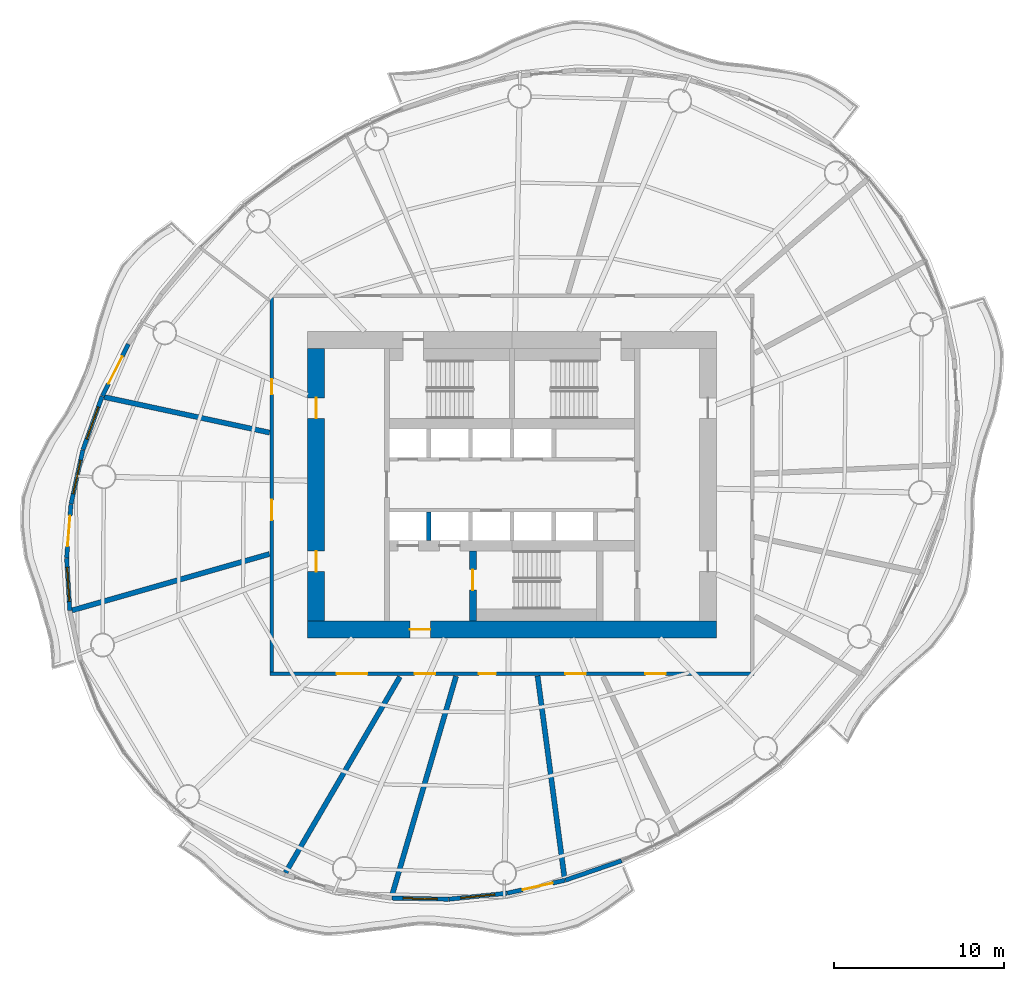
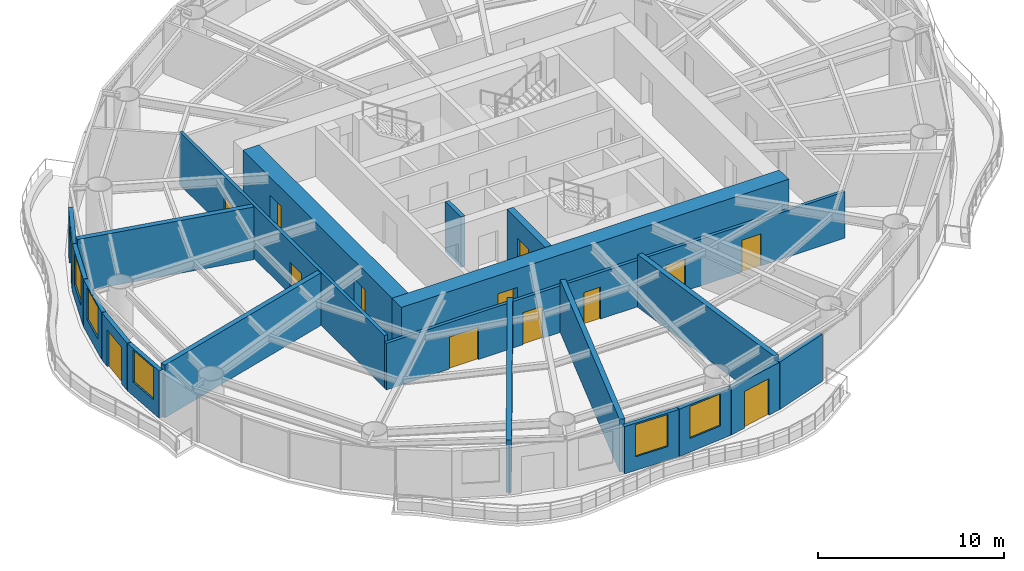
# One storey, part 8 of 14: 20 walls, 14 doors, 5 windows, 19 openings.
"""IFC4 building model written with IfcOpenShell, lengths in metres."""

import ifcopenshell
import ifcopenshell.guid

model = None  # the IFC model being written
_history = None  # IfcOwnerHistory: only IFC2X3 demands one
_inside = {}  # id of a spatial element -> (the spatial element, [elements in it])
_under = {}  # id of a project, library or spatial element -> (it, [spatial elements below it])
_declared = {}  # id of a project -> (the project, [libraries it declares])
_typed = {}  # id of a type object -> (the type object, [elements of that type])
_made_of = {}  # id of a material, layer set ... -> (it, [elements and type objects made of it])


def new_model(schema):
    """Start an empty IFC model of exactly this schema.

    Asked for "IFC4X3", IfcOpenShell would pick the latest addendum, in which some entities
    have other attributes; the version numbers below select the first issue.
    IFC2X3 requires an IfcOwnerHistory on every rooted entity: one is made here for all.
    """
    global model, _history
    if schema == "IFC4X3":
        model = ifcopenshell.file(schema_version=(4, 3, 0, 0))
    else:
        model = ifcopenshell.file(schema=schema)
    _inside.clear()
    _under.clear()
    _declared.clear()
    _typed.clear()
    _made_of.clear()
    _history = None
    if model.schema == "IFC2X3":
        org = make("IfcOrganization", Name="unknown")
        user = make(
            "IfcPersonAndOrganization",
            ThePerson=make("IfcPerson", FamilyName="unknown"),
            TheOrganization=org,
        )
        app = make(
            "IfcApplication",
            ApplicationDeveloper=org,
            Version="unknown",
            ApplicationFullName="unknown",
            ApplicationIdentifier="unknown",
        )
        _history = make(
            "IfcOwnerHistory",
            OwningUser=user,
            OwningApplication=app,
            ChangeAction="ADDED",
            CreationDate=0,
        )
    return model


def make(cls, **values):
    """One entity of the class cls with the attributes given. An attribute that is None is left unset."""
    return model.create_entity(
        cls, **{name: value for name, value in values.items() if value is not None}
    )


def rooted(cls, **values):
    """An entity with a GlobalId (a new one), such as an element, a storey or a relation."""
    return make(cls, GlobalId=ifcopenshell.guid.new(), OwnerHistory=_history, **values)


def si_unit(unit_type, name, prefix=None):
    """IfcSIUnit, for example si_unit("LENGTHUNIT", "METRE", prefix="MILLI")."""
    return make("IfcSIUnit", UnitType=unit_type, Prefix=prefix, Name=name)


def assignment(units):
    """IfcUnitAssignment: the units of a project."""
    return None if units is None else make("IfcUnitAssignment", Units=units)


def point(xyz):
    """IfcCartesianPoint."""
    return None if xyz is None else make("IfcCartesianPoint", Coordinates=xyz)


def direction(xyz):
    """IfcDirection."""
    return None if xyz is None else make("IfcDirection", DirectionRatios=xyz)


def frame(location, z_axis=None, x_axis=None):
    """IfcAxis2Placement3D, a coordinate frame: its origin and axes. An axis left out is left unset."""
    return make(
        "IfcAxis2Placement3D",
        Location=point(location),
        Axis=direction(z_axis),
        RefDirection=direction(x_axis),
    )


def frame_2d(location, x_axis=None):
    """IfcAxis2Placement2D, a coordinate frame in the plane: its origin and x axis."""
    return make(
        "IfcAxis2Placement2D", Location=point(location), RefDirection=direction(x_axis)
    )


def origin():
    """The frame at (0, 0, 0) with its axes left unset."""
    return frame((0.0, 0.0, 0.0))


def place(relative_to, where):
    """IfcLocalPlacement: puts the frame where relative to a parent placement (None: the world)."""
    return make(
        "IfcLocalPlacement", PlacementRelTo=relative_to, RelativePlacement=where
    )


def context(
    kind, dimensions, precision=None, world=None, true_north=None, identifier=None
):
    """IfcGeometricRepresentationContext, for example the 3D "Model" context."""
    return make(
        "IfcGeometricRepresentationContext",
        ContextIdentifier=identifier,
        ContextType=kind,
        CoordinateSpaceDimension=dimensions,
        Precision=precision,
        WorldCoordinateSystem=world,
        TrueNorth=true_north,
    )


def subcontext(parent, identifier, kind, view, scale=None):
    """IfcGeometricRepresentationSubContext, for example "Body" below "Model"."""
    return make(
        "IfcGeometricRepresentationSubContext",
        ContextIdentifier=identifier,
        ContextType=kind,
        ParentContext=parent,
        TargetScale=scale,
        TargetView=view,
    )


def project(units=None, contexts=None):
    """IfcProject with its units and contexts."""
    return rooted(
        "IfcProject",
        Name="project",
        RepresentationContexts=contexts,
        UnitsInContext=assignment(units),
    )


def spatial(cls, under=None, at=None, **own):
    """A site, building, storey or space (cls), placed at a placement, below another one or the project."""
    s = rooted(cls, ObjectPlacement=at, **own)
    if under is not None:
        _under.setdefault(under.id(), (under, []))[1].append(s)
    return s


def profile(cls, at=None, kind="AREA", **sizes):
    """A parametric profile (cls). Its sizes go by their IFC names, for example OverallWidth=200.0."""
    return make(cls, ProfileType=kind, Position=at, **sizes)


def rectangle(**sizes):
    """IfcRectangleProfileDef."""
    return profile("IfcRectangleProfileDef", **sizes)


def extrude(swept, where, along, depth):
    """IfcExtrudedAreaSolid: the profile swept, set in the frame where, extruded along a direction by depth."""
    return make(
        "IfcExtrudedAreaSolid",
        SweptArea=swept,
        Position=where,
        ExtrudedDirection=direction(along),
        Depth=depth,
    )


def shape(context_of_items, identifier, shape_type, items):
    """IfcShapeRepresentation: the items that make up one representation, for example the "Body"."""
    return make(
        "IfcShapeRepresentation",
        ContextOfItems=context_of_items,
        RepresentationIdentifier=identifier,
        RepresentationType=shape_type,
        Items=items,
    )


def material(Name=None, Category=None):
    """IfcMaterial."""
    return make("IfcMaterial", Name=Name, Category=Category)


def layer(
    of_material, thickness, ventilated=None, Name=None, Category=None, Priority=None
):
    """IfcMaterialLayer: one layer of a wall or slab, of a material (None: an air gap)."""
    return make(
        "IfcMaterialLayer",
        Material=of_material,
        LayerThickness=thickness,
        IsVentilated=ventilated,
        Name=Name,
        Category=Category,
        Priority=Priority,
    )


def layer_set(layers, Name=None):
    """IfcMaterialLayerSet."""
    return make("IfcMaterialLayerSet", MaterialLayers=layers, LayerSetName=Name)


def made_of(thing, what):
    """Note that an element or type object is made of a material, layer set ...; save() writes the relation."""
    if what is not None:
        _made_of.setdefault(what.id(), (what, []))[1].append(thing)
    return thing


def type_object(cls, material=None, **own):
    """A type object (cls), such as IfcWallType, which elements share."""
    return made_of(rooted(cls, **own), material)


def element(
    cls,
    number,
    at=None,
    inside=None,
    cuts=None,
    type_object=None,
    material=None,
    context=None,
    identifier="Body",
    shape_type=None,
    held_by="IfcProductDefinitionShape",
    body=None,
    shapes=None,
    **own,
):
    """One element of the class cls, such as IfcWall. Its Tag is "e" and its number.

    at: its placement. inside: the storey or other place that contains it. cuts: it is an
    opening in that element (IfcRelVoidsElement). A single representation is given by context,
    identifier, shape_type and body (its items); several are given by shapes. held_by: the class
    of the entity that holds the representations. save() writes the other relations.
    """
    e = rooted(cls, Tag="e%d" % number, ObjectPlacement=at, **own)
    if body is not None:
        shapes = [shape(context, identifier, shape_type, body)]
    if shapes is not None:
        e.Representation = make(held_by, Representations=shapes)
    if inside is not None:
        _inside.setdefault(inside.id(), (inside, []))[1].append(e)
    if cuts is not None:
        rooted(
            "IfcRelVoidsElement", RelatingBuildingElement=cuts, RelatedOpeningElement=e
        )
    if type_object is not None:
        _typed.setdefault(type_object.id(), (type_object, []))[1].append(e)
    return made_of(e, material)


def fill(opening, filler):
    """IfcRelFillsElement: the door or window that sits in an opening."""
    return rooted(
        "IfcRelFillsElement",
        RelatingOpeningElement=opening,
        RelatedBuildingElement=filler,
    )


def aggregate(whole, parts):
    """IfcRelAggregates: a whole, such as a stair, and the parts it consists of."""
    return rooted("IfcRelAggregates", RelatingObject=whole, RelatedObjects=parts)


def save(model, path):
    """Write the relations noted so far, then the file.

    IfcRelAggregates (storeys below a building ...), IfcRelContainedInSpatialStructure (elements
    in a storey), IfcRelDefinesByType, IfcRelAssociatesMaterial and IfcRelDeclares: one each for
    every whole, place, type object, material and project.
    """
    for whole, parts in _under.values():
        aggregate(whole, parts)
    for where, things in _inside.values():
        rooted(
            "IfcRelContainedInSpatialStructure",
            RelatedElements=things,
            RelatingStructure=where,
        )
    for kind, things in _typed.values():
        rooted("IfcRelDefinesByType", RelatedObjects=things, RelatingType=kind)
    for what, things in _made_of.values():
        rooted("IfcRelAssociatesMaterial", RelatedObjects=things, RelatingMaterial=what)
    for by, libraries in _declared.values():
        rooted("IfcRelDeclares", RelatingContext=by, RelatedDefinitions=libraries)
    model.write(path)


model = new_model("IFC4")

# Units and contexts
model_context = context("Model", 3, precision=1e-05, world=origin(), true_north=direction((0.0, 1.0)))
body_context = subcontext(model_context, "Body", "Model", "MODEL_VIEW")
ifc_project = project(units=[si_unit("LENGTHUNIT", "METRE"), si_unit("AREAUNIT", "SQUARE_METRE"), si_unit("VOLUMEUNIT", "CUBIC_METRE"), si_unit("PLANEANGLEUNIT", "RADIAN"), si_unit("MASSUNIT", "GRAM", prefix="KILO")], contexts=[model_context])

# Site, building, storey
site_placement = place(None, origin())
site = spatial("IfcSite", under=ifc_project, at=site_placement, CompositionType="ELEMENT")
building_placement = place(site_placement, origin())
building = spatial("IfcBuilding", under=site, at=building_placement, Name="Vermilion Reach Broadcast Tower", CompositionType="ELEMENT")
storey_placement = place(building_placement, frame((0.0, 0.0, 172.199951171875)))
storey = spatial("IfcBuildingStorey", under=building, at=storey_placement, Name="L41", CompositionType="ELEMENT", Elevation=172.199951171875)

# Wall, opening, door
ifc_material_1 = material(Name="Concrete C70", Category="concrete")
ifc_layer_1 = layer(ifc_material_1, 0.39990234375)
ifc_layer_set_1 = layer_set([ifc_layer_1], Name="Core inner wall 400 mm Concrete C70")
wall_type_1 = type_object("IfcWallType", Name="Core inner wall 400 mm Concrete C70", PredefinedType="SHEAR", material=ifc_layer_set_1)
wall_1_placement = place(storey_placement, frame((-8.300048828125, -3.8798828125, 0.0), z_axis=(0.0, 0.0, 1.0), x_axis=(0.0, -1.0, 0.0)))
wall_1 = element("IfcWall", 1, at=wall_1_placement, inside=storey, type_object=wall_type_1, Name="L41 core wall wa", PredefinedType="SHEAR", context=body_context, shape_type="SweptSolid", body=[
    extrude(rectangle(XDim=4.1201171875, YDim=0.39990234375, at=frame_2d((2.06005859375, 0.0))), origin(), (0.0, 0.0, 1.0), 3.300048828125),
])
opening_1_placement = place(wall_1_placement, frame((1.110107421875, 0.0, 0.0)))
opening_1 = element("IfcOpeningElement", 2, at=opening_1_placement, cuts=wall_1, Name="Opening D01", PredefinedType="OPENING", context=body_context, shape_type="SweptSolid", body=[
    extrude(rectangle(XDim=1.199951171875, YDim=2.10009765625, at=frame_2d((0.60009765625, 1.050048828125))), frame((0.0, 0.2099609375, 0.0), z_axis=(0.0, -1.0, 0.0), x_axis=(1.0, 0.0, 0.0)), (0.0, 0.0, 1.0), 0.419921875),
])
ifc_material_2 = material(Name="Painted steel fire door", Category="steel")
door_type_1 = type_object("IfcDoorType", Name="Stair door 1200 x 2100", OperationType="DOUBLE_DOOR_SINGLE_SWING", PredefinedType="NOTDEFINED", material=ifc_material_2)
door_1_placement = place(opening_1_placement, origin())
door_1 = element("IfcDoor", 3, at=door_1_placement, inside=storey, type_object=door_type_1, Name="L41 stair door ST3", OperationType="DOUBLE_DOOR_SINGLE_SWING", OverallHeight=2.10009765625, OverallWidth=1.199951171875, PredefinedType="NOTDEFINED", context=body_context, shape_type="SweptSolid", body=[
    extrude(rectangle(XDim=1.199951171875, YDim=2.10009765625, at=frame_2d((0.60009765625, 1.050048828125))), frame((0.0, 0.02490234375, 0.0), z_axis=(0.0, -1.0, 0.0), x_axis=(1.0, 0.0, 0.0)), (0.0, 0.0, 1.0), 0.050048828125),
])
fill(opening_1, door_1)

ifc_material_3 = material(Name="Concrete C70", Category="concrete")
ifc_layer_2 = layer(ifc_material_3, 1.0)
ifc_layer_set_2 = layer_set([ifc_layer_2], Name="Core outer wall 1000 mm Concrete C70")
wall_type_2 = type_object("IfcWallType", Name="Core outer wall 1000 mm Concrete C70", PredefinedType="SHEAR", material=ifc_layer_set_2)
wall_2_placement = place(storey_placement, frame((-18.0, -8.5, 0.0), z_axis=(0.0, 0.0, 1.0), x_axis=(1.0, 0.0, 0.0)))
wall_2 = element("IfcWall", 4, at=wall_2_placement, inside=storey, type_object=wall_type_2, Name="L41 core wall os", PredefinedType="SHEAR", context=body_context, shape_type="SweptSolid", body=[
    extrude(rectangle(XDim=24.0, YDim=1.0, at=frame_2d((12.0, 0.0))), origin(), (0.0, 0.0, 1.0), 3.300048828125),
])
opening_2_placement = place(wall_2_placement, frame((6.0, 0.0, 0.0)))
opening_2 = element("IfcOpeningElement", 5, at=opening_2_placement, cuts=wall_2, Name="Opening D02", PredefinedType="OPENING", context=body_context, shape_type="SweptSolid", body=[
    extrude(rectangle(XDim=1.199951171875, YDim=2.10009765625, at=frame_2d((0.60009765625, 1.050048828125))), frame((0.0, 0.510009765625, 0.0), z_axis=(0.0, -1.0, 0.0), x_axis=(1.0, 0.0, 0.0)), (0.0, 0.0, 1.0), 1.02001953125),
])
ifc_material_4 = material(Name="Painted steel fire door", Category="steel")
door_type_2 = type_object("IfcDoorType", Name="Firefighting lobby door 1200 x 2100", OperationType="DOUBLE_DOOR_SINGLE_SWING", PredefinedType="NOTDEFINED", material=ifc_material_4)
door_2_placement = place(opening_2_placement, origin())
door_2 = element("IfcDoor", 6, at=door_2_placement, inside=storey, type_object=door_type_2, Name="L41 ffdoor door FFL", OperationType="DOUBLE_DOOR_SINGLE_SWING", OverallHeight=2.10009765625, OverallWidth=1.199951171875, PredefinedType="NOTDEFINED", context=body_context, shape_type="SweptSolid", body=[
    extrude(rectangle(XDim=1.199951171875, YDim=2.10009765625, at=frame_2d((0.60009765625, 1.050048828125))), frame((0.0, 0.02490234375, 0.0), z_axis=(0.0, -1.0, 0.0), x_axis=(1.0, 0.0, 0.0)), (0.0, 0.0, 1.0), 0.050048828125),
])
fill(opening_2, door_2)

# Wall, openings, doors
wall_3_placement = place(storey_placement, frame((-17.5, 8.0, 0.0), z_axis=(0.0, 0.0, 1.0), x_axis=(0.0, -1.0, 0.0)))
wall_3 = element("IfcWall", 7, at=wall_3_placement, inside=storey, type_object=wall_type_2, Name="L41 core wall ow", PredefinedType="SHEAR", context=body_context, shape_type="SweptSolid", body=[
    extrude(rectangle(XDim=16.0, YDim=1.0, at=frame_2d((8.0, 0.0))), origin(), (0.0, 0.0, 1.0), 3.300048828125),
])
opening_3_placement = place(wall_3_placement, frame((11.89990234375, 0.0, 0.0)))
opening_3 = element("IfcOpeningElement", 8, at=opening_3_placement, cuts=wall_3, Name="Opening D03", PredefinedType="OPENING", context=body_context, shape_type="SweptSolid", body=[
    extrude(rectangle(XDim=1.199951171875, YDim=2.10009765625, at=frame_2d((0.60009765625, 1.050048828125))), frame((0.0, 0.510009765625, 0.0), z_axis=(0.0, -1.0, 0.0), x_axis=(1.0, 0.0, 0.0)), (0.0, 0.0, 1.0), 1.02001953125),
])
opening_4_placement = place(wall_3_placement, frame((2.89990234375, 0.0, 0.0)))
opening_4 = element("IfcOpeningElement", 9, at=opening_4_placement, cuts=wall_3, Name="Opening D03", PredefinedType="OPENING", context=body_context, shape_type="SweptSolid", body=[
    extrude(rectangle(XDim=1.199951171875, YDim=2.10009765625, at=frame_2d((0.60009765625, 1.050048828125))), frame((0.0, 0.510009765625, 0.0), z_axis=(0.0, -1.0, 0.0), x_axis=(1.0, 0.0, 0.0)), (0.0, 0.0, 1.0), 1.02001953125),
])
ifc_material_5 = material(Name="Painted steel fire door", Category="steel")
door_type_3 = type_object("IfcDoorType", Name="Core lobby door 1200 x 2100", OperationType="DOUBLE_DOOR_SINGLE_SWING", PredefinedType="NOTDEFINED", material=ifc_material_5)
door_3_placement = place(opening_3_placement, origin())
door_3 = element("IfcDoor", 10, at=door_3_placement, inside=storey, type_object=door_type_3, Name="L41 slot door W0", OperationType="DOUBLE_DOOR_SINGLE_SWING", OverallHeight=2.10009765625, OverallWidth=1.199951171875, PredefinedType="NOTDEFINED", context=body_context, shape_type="SweptSolid", body=[
    extrude(rectangle(XDim=1.199951171875, YDim=2.10009765625, at=frame_2d((0.60009765625, 1.050048828125))), frame((0.0, 0.02490234375, 0.0), z_axis=(0.0, -1.0, 0.0), x_axis=(1.0, 0.0, 0.0)), (0.0, 0.0, 1.0), 0.050048828125),
])
fill(opening_3, door_3)
door_4_placement = place(opening_4_placement, origin())
door_4 = element("IfcDoor", 11, at=door_4_placement, inside=storey, type_object=door_type_3, Name="L41 slot door W1", OperationType="DOUBLE_DOOR_SINGLE_SWING", OverallHeight=2.10009765625, OverallWidth=1.199951171875, PredefinedType="NOTDEFINED", context=body_context, shape_type="SweptSolid", body=[
    extrude(rectangle(XDim=1.199951171875, YDim=2.10009765625, at=frame_2d((0.60009765625, 1.050048828125))), frame((0.0, 0.02490234375, 0.0), z_axis=(0.0, -1.0, 0.0), x_axis=(1.0, 0.0, 0.0)), (0.0, 0.0, 1.0), 0.050048828125),
])
fill(opening_4, door_4)

# Wall
ifc_material_6 = material(Name="Concrete C50", Category="concrete")
ifc_layer_3 = layer(ifc_material_6, 0.25)
ifc_layer_set_3 = layer_set([ifc_layer_3], Name="Core shaft wall 250 mm Concrete C50")
wall_type_3 = type_object("IfcWallType", Name="Core shaft wall 250 mm Concrete C50", PredefinedType="SHEAR", material=ifc_layer_set_3)
wall_4_placement = place(storey_placement, frame((-10.88330078125, -1.60009765625, 0.0), z_axis=(0.0, 0.0, 1.0), x_axis=(0.0, -1.0, 0.0)))
element("IfcWall", 12, at=wall_4_placement, inside=storey, type_object=wall_type_3, Name="L41 core wall psS0", PredefinedType="SHEAR", context=body_context, shape_type="SweptSolid", body=[
    extrude(rectangle(XDim=1.679931640625, YDim=0.25, at=frame_2d((0.83984375, 0.0))), origin(), (0.0, 0.0, 1.0), 3.300048828125),
])

# Wall, openings, doors
ifc_material_7 = material(Name="Fire-rated gypsum board partition")
ifc_layer_4 = layer(ifc_material_7, 0.199951171875)
ifc_layer_set_4 = layer_set([ifc_layer_4], Name="Corridor wall 200 fire-rated")
wall_type_4 = type_object("IfcWallType", Name="Corridor wall 200 fire-rated", PredefinedType="PARTITIONING", material=ifc_layer_set_4)
wall_5_placement = place(storey_placement, frame((-20.10009765625, -11.0, 0.0), z_axis=(0.0, 0.0, 1.0), x_axis=(0.0, 1.0, 0.0)))
wall_5 = element("IfcWall", 13, at=wall_5_placement, inside=storey, type_object=wall_type_4, Name="Corridor wall 41.W", PredefinedType="PARTITIONING", context=body_context, shape_type="SweptSolid", body=[
    extrude(rectangle(XDim=22.0, YDim=0.199951171875, at=frame_2d((11.0, 0.0))), origin(), (0.0, 0.0, 1.0), 3.449951171875),
])
opening_5_placement = place(wall_5_placement, frame((16.303466796875, 0.0, 0.0)))
opening_5 = element("IfcOpeningElement", 14, at=opening_5_placement, cuts=wall_5, Name="Opening D22", PredefinedType="OPENING", context=body_context, shape_type="SweptSolid", body=[
    extrude(rectangle(XDim=0.89990234375, YDim=2.10009765625, at=frame_2d((0.449951171875, 1.050048828125))), frame((0.0, 0.10986328125, 0.0), z_axis=(0.0, -1.0, 0.0), x_axis=(1.0, 0.0, 0.0)), (0.0, 0.0, 1.0), 0.219970703125),
])
opening_6_placement = place(wall_5_placement, frame((8.9169921875, 0.0, 0.0)))
opening_6 = element("IfcOpeningElement", 15, at=opening_6_placement, cuts=wall_5, Name="Opening D26", PredefinedType="OPENING", context=body_context, shape_type="SweptSolid", body=[
    extrude(rectangle(XDim=1.199951171875, YDim=2.10009765625, at=frame_2d((0.60009765625, 1.050048828125))), frame((0.0, 0.10986328125, 0.0), z_axis=(0.0, -1.0, 0.0), x_axis=(1.0, 0.0, 0.0)), (0.0, 0.0, 1.0), 0.219970703125),
])
ifc_material_8 = material(Name="Acoustic timber door leaf", Category="wood")
door_type_4 = type_object("IfcDoorType", Name="Door single 1200x2100", OperationType="NOTDEFINED", PredefinedType="DOOR", material=ifc_material_8)
door_5_placement = place(opening_6_placement, origin())
door_5 = element("IfcDoor", 16, at=door_5_placement, inside=storey, type_object=door_type_4, Name="Door 41.05", OperationType="SINGLE_SWING_LEFT", OverallHeight=2.10009765625, OverallWidth=1.199951171875, PredefinedType="DOOR", context=body_context, shape_type="SweptSolid", body=[
    extrude(rectangle(XDim=1.199951171875, YDim=2.10009765625, at=frame_2d((0.60009765625, 1.050048828125))), frame((0.0, 0.02490234375, 0.0), z_axis=(0.0, -1.0, 0.0), x_axis=(1.0, 0.0, 0.0)), (0.0, 0.0, 1.0), 0.050048828125),
])
fill(opening_6, door_5)
ifc_material_9 = material(Name="Timber door leaf", Category="wood")
door_type_5 = type_object("IfcDoorType", Name="Door single 900x2100", OperationType="NOTDEFINED", PredefinedType="DOOR", material=ifc_material_9)
door_6_placement = place(opening_5_placement, origin())
door_6 = element("IfcDoor", 17, at=door_6_placement, inside=storey, type_object=door_type_5, Name="Door 41.04", OperationType="SINGLE_SWING_LEFT", OverallHeight=2.10009765625, OverallWidth=0.89990234375, PredefinedType="DOOR", context=body_context, shape_type="SweptSolid", body=[
    extrude(rectangle(XDim=0.89990234375, YDim=2.10009765625, at=frame_2d((0.449951171875, 1.050048828125))), frame((0.0, 0.02490234375, 0.0), z_axis=(0.0, -1.0, 0.0), x_axis=(1.0, 0.0, 0.0)), (0.0, 0.0, 1.0), 0.050048828125),
])
fill(opening_5, door_6)

# Walls
ifc_material_10 = material(Name="Double-leaf plasterboard on isolated steel stud", Category="steel")
ifc_layer_5 = layer(ifc_material_10, 0.300048828125)
ifc_layer_set_5 = layer_set([ifc_layer_5], Name="Partition 300 acoustic double leaf")
wall_type_5 = type_object("IfcWallType", Name="Partition 300 acoustic double leaf", PredefinedType="PARTITIONING", material=ifc_layer_set_5)
wall_6_placement = place(storey_placement, frame((-29.945556640625, 5.1474609375, 0.0), z_axis=(0.0, 0.0, 1.0), x_axis=(0.977667369108, -0.210158310286, 0.0)))
element("IfcWall", 18, at=wall_6_placement, inside=storey, type_object=wall_type_5, Name="Partition 41.05", PredefinedType="PARTITIONING", context=body_context, shape_type="SweptSolid", body=[
    extrude(rectangle(XDim=9.93603515625, YDim=0.300048828125, at=frame_2d((4.968017578125, 0.0))), origin(), (0.0, 0.0, 1.0), 3.449951171875),
])
wall_7_placement = place(storey_placement, frame((-31.833740234375, -7.3779296875, 0.0), z_axis=(0.0, 0.0, 1.0), x_axis=(0.961553744582, 0.274616817183, 0.0)))
element("IfcWall", 19, at=wall_7_placement, inside=storey, type_object=wall_type_5, Name="Partition 41.06", PredefinedType="PARTITIONING", context=body_context, shape_type="SweptSolid", body=[
    extrude(rectangle(XDim=12.05615234375, YDim=0.300048828125, at=frame_2d((6.028076171875, 0.0))), origin(), (0.0, 0.0, 1.0), 3.449951171875),
])
wall_8_placement = place(storey_placement, frame((-19.29931640625, -22.778564453125, 0.0), z_axis=(0.0, 0.0, 1.0), x_axis=(0.504208313902, 0.863582061064, 0.0)))
element("IfcWall", 20, at=wall_8_placement, inside=storey, type_object=wall_type_5, Name="Partition 41.07", PredefinedType="PARTITIONING", context=body_context, shape_type="SweptSolid", body=[
    extrude(rectangle(XDim=13.320068359375, YDim=0.300048828125, at=frame_2d((6.66015625, 0.0))), origin(), (0.0, 0.0, 1.0), 3.449951171875),
])
wall_9_placement = place(storey_placement, frame((-13.058349609375, -24.141357421875, 0.0), z_axis=(0.0, 0.0, 1.0), x_axis=(0.28063264882, 0.95981525119, 0.0)))
element("IfcWall", 21, at=wall_9_placement, inside=storey, type_object=wall_type_5, Name="Partition 41.08", PredefinedType="PARTITIONING", context=body_context, shape_type="SweptSolid", body=[
    extrude(rectangle(XDim=13.439208984375, YDim=0.300048828125, at=frame_2d((6.7197265625, 0.0))), origin(), (0.0, 0.0, 1.0), 3.449951171875),
])
wall_10_placement = place(storey_placement, frame((-2.918701171875, -23.10009765625, 0.0), z_axis=(0.0, 0.0, 1.0), x_axis=(-0.132218424005, 0.991220605291, 0.0)))
element("IfcWall", 22, at=wall_10_placement, inside=storey, type_object=wall_type_5, Name="Partition 41.09", PredefinedType="PARTITIONING", context=body_context, shape_type="SweptSolid", body=[
    extrude(rectangle(XDim=11.985595703125, YDim=0.300048828125, at=frame_2d((5.99267578125, 0.0))), origin(), (0.0, 0.0, 1.0), 3.449951171875),
])

# Wall, opening, door
ifc_material_11 = material(Name="Terracotta rainscreen cladding", Category="masonry")
ifc_layer_6 = layer(ifc_material_11, 0.25)
ifc_layer_set_6 = layer_set([ifc_layer_6], Name="Terracotta rainscreen wall 250")
wall_type_6 = type_object("IfcWallType", Name="Terracotta rainscreen wall 250", PredefinedType="SOLIDWALL", material=ifc_layer_set_6)
wall_11_placement = place(storey_placement, frame((-28.521240234375, 8.252197265625, 0.0), z_axis=(0.0, 0.0, 1.0), x_axis=(-0.449903975736, -0.893076935441, 0.0)))
wall_11 = element("IfcWall", 23, at=wall_11_placement, inside=storey, type_object=wall_type_6, Name="External wall L41 16", PredefinedType="SOLIDWALL", context=body_context, shape_type="SweptSolid", body=[
    extrude(rectangle(XDim=3.409423828125, YDim=0.25, at=frame_2d((1.70458984375, 0.0))), origin(), (0.0, 0.0, 1.0), 3.10009765625),
])
opening_7_placement = place(wall_11_placement, frame((0.804931640625, 0.0, 0.0)))
opening_7 = element("IfcOpeningElement", 24, at=opening_7_placement, cuts=wall_11, Name="Opening D70", PredefinedType="OPENING", context=body_context, shape_type="SweptSolid", body=[
    extrude(rectangle(XDim=1.800048828125, YDim=2.39990234375, at=frame_2d((0.89990234375, 1.199951171875))), frame((0.0, 0.135009765625, 0.0), z_axis=(0.0, -1.0, 0.0), x_axis=(1.0, 0.0, 0.0)), (0.0, 0.0, 1.0), 0.27001953125),
])
ifc_material_12 = material(Name="Low-e laminated clear glass in aluminium frame", Category="aluminium")
door_type_6 = type_object("IfcDoorType", Name="Balcony sliding door 1800 x 2400", OperationType="DOUBLE_DOOR_SLIDING", PredefinedType="DOOR", material=ifc_material_12)
door_7_placement = place(opening_7_placement, origin())
door_7 = element("IfcDoor", 25, at=door_7_placement, inside=storey, type_object=door_type_6, Name="Balcony door L41 run 04", OperationType="DOUBLE_DOOR_SLIDING", OverallHeight=2.39990234375, OverallWidth=1.800048828125, PredefinedType="DOOR", context=body_context, shape_type="SweptSolid", body=[
    extrude(rectangle(XDim=1.800048828125, YDim=2.39990234375, at=frame_2d((0.89990234375, 1.199951171875))), frame((0.0, 0.02490234375, 0.0), z_axis=(0.0, -1.0, 0.0), x_axis=(1.0, 0.0, 0.0)), (0.0, 0.0, 1.0), 0.050048828125),
])
fill(opening_7, door_7)

# Wall, opening, window
wall_12_placement = place(storey_placement, frame((-30.064453125, 5.18603515625, 0.0), z_axis=(0.0, 0.0, 1.0), x_axis=(-0.337661333214, -0.941267668653, 0.0)))
wall_12 = element("IfcWall", 26, at=wall_12_placement, inside=storey, type_object=wall_type_6, Name="External wall L41 17", PredefinedType="SOLIDWALL", context=body_context, shape_type="SweptSolid", body=[
    extrude(rectangle(XDim=3.325927734375, YDim=0.25, at=frame_2d((1.6630859375, 0.0))), origin(), (0.0, 0.0, 1.0), 3.10009765625),
])
opening_8_placement = place(wall_12_placement, frame((0.6630859375, 0.0, 0.89990234375)))
opening_8 = element("IfcOpeningElement", 27, at=opening_8_placement, cuts=wall_12, Name="Opening W03", PredefinedType="OPENING", context=body_context, shape_type="SweptSolid", body=[
    extrude(rectangle(XDim=2.0, YDim=2.10009765625, at=frame_2d((1.0, 1.050048828125))), frame((0.0, 0.135009765625, 0.0), z_axis=(0.0, -1.0, 0.0), x_axis=(1.0, 0.0, 0.0)), (0.0, 0.0, 1.0), 0.27001953125),
])
ifc_material_13 = material(Name="Low-e laminated clear glass in aluminium frame", Category="aluminium")
window_type = type_object("IfcWindowType", Name="Punched window 2000 x 2100 sill 900", PartitioningType="SINGLE_PANEL", PredefinedType="WINDOW", material=ifc_material_13)
window_1_placement = place(opening_8_placement, origin())
window_1 = element("IfcWindow", 28, at=window_1_placement, inside=storey, type_object=window_type, Name="Window L41 17", OverallHeight=2.10009765625, OverallWidth=2.0, PartitioningType="SINGLE_PANEL", PredefinedType="WINDOW", context=body_context, shape_type="SweptSolid", body=[
    extrude(rectangle(XDim=2.0, YDim=2.10009765625, at=frame_2d((1.0, 1.050048828125))), frame((0.0, 0.030029296875, 0.0), z_axis=(0.0, -1.0, 0.0), x_axis=(1.0, 0.0, 0.0)), (0.0, 0.0, 1.0), 0.06005859375),
])
fill(opening_8, window_1)

wall_13_placement = place(storey_placement, frame((-31.1943359375, 2.032470703125, 0.0), z_axis=(0.0, 0.0, 1.0), x_axis=(-0.21439852093, -0.976746269111, 0.0)))
wall_13 = element("IfcWall", 29, at=wall_13_placement, inside=storey, type_object=wall_type_6, Name="External wall L41 18", PredefinedType="SOLIDWALL", context=body_context, shape_type="SweptSolid", body=[
    extrude(rectangle(XDim=3.2373046875, YDim=0.25, at=frame_2d((1.61865234375, 0.0))), origin(), (0.0, 0.0, 1.0), 3.10009765625),
])
opening_9_placement = place(wall_13_placement, frame((0.61865234375, 0.0, 0.89990234375)))
opening_9 = element("IfcOpeningElement", 30, at=opening_9_placement, cuts=wall_13, Name="Opening W03", PredefinedType="OPENING", context=body_context, shape_type="SweptSolid", body=[
    extrude(rectangle(XDim=2.0, YDim=2.10009765625, at=frame_2d((1.0, 1.050048828125))), frame((0.0, 0.135009765625, 0.0), z_axis=(0.0, -1.0, 0.0), x_axis=(1.0, 0.0, 0.0)), (0.0, 0.0, 1.0), 0.27001953125),
])
window_2_placement = place(opening_9_placement, origin())
window_2 = element("IfcWindow", 31, at=window_2_placement, inside=storey, type_object=window_type, Name="Window L41 18", OverallHeight=2.10009765625, OverallWidth=2.0, PartitioningType="SINGLE_PANEL", PredefinedType="WINDOW", context=body_context, shape_type="SweptSolid", body=[
    extrude(rectangle(XDim=2.0, YDim=2.10009765625, at=frame_2d((1.0, 1.050048828125))), frame((0.0, 0.030029296875, 0.0), z_axis=(0.0, -1.0, 0.0), x_axis=(1.0, 0.0, 0.0)), (0.0, 0.0, 1.0), 0.06005859375),
])
fill(opening_9, window_2)

# Wall, opening, door
wall_14_placement = place(storey_placement, frame((-31.89208984375, -1.154296875, 0.0), z_axis=(0.0, 0.0, 1.0), x_axis=(-0.080857499855, -0.996725671746, 0.0)))
wall_14 = element("IfcWall", 32, at=wall_14_placement, inside=storey, type_object=wall_type_6, Name="External wall L41 19", PredefinedType="SOLIDWALL", context=body_context, shape_type="SweptSolid", body=[
    extrude(rectangle(XDim=3.149169921875, YDim=0.25, at=frame_2d((1.57470703125, 0.0))), origin(), (0.0, 0.0, 1.0), 3.10009765625),
])
opening_10_placement = place(wall_14_placement, frame((0.675048828125, 0.0, 0.0)))
opening_10 = element("IfcOpeningElement", 33, at=opening_10_placement, cuts=wall_14, Name="Opening D70", PredefinedType="OPENING", context=body_context, shape_type="SweptSolid", body=[
    extrude(rectangle(XDim=1.800048828125, YDim=2.39990234375, at=frame_2d((0.89990234375, 1.199951171875))), frame((0.0, 0.135009765625, 0.0), z_axis=(0.0, -1.0, 0.0), x_axis=(1.0, 0.0, 0.0)), (0.0, 0.0, 1.0), 0.27001953125),
])
door_8_placement = place(opening_10_placement, origin())
door_8 = element("IfcDoor", 34, at=door_8_placement, inside=storey, type_object=door_type_6, Name="Balcony door L41 run 05", OperationType="DOUBLE_DOOR_SLIDING", OverallHeight=2.39990234375, OverallWidth=1.800048828125, PredefinedType="DOOR", context=body_context, shape_type="SweptSolid", body=[
    extrude(rectangle(XDim=1.800048828125, YDim=2.39990234375, at=frame_2d((0.89990234375, 1.199951171875))), frame((0.0, 0.02490234375, 0.0), z_axis=(0.0, -1.0, 0.0), x_axis=(1.0, 0.0, 0.0)), (0.0, 0.0, 1.0), 0.050048828125),
])
fill(opening_10, door_8)

# Wall, opening, window
wall_15_placement = place(storey_placement, frame((-32.14697265625, -4.319091796875, 0.0), z_axis=(0.0, 0.0, 1.0), x_axis=(0.061432025832, -0.99811126945, 0.0)))
wall_15 = element("IfcWall", 35, at=wall_15_placement, inside=storey, type_object=wall_type_6, Name="External wall L41 20", PredefinedType="SOLIDWALL", context=body_context, shape_type="SweptSolid", body=[
    extrude(rectangle(XDim=3.068115234375, YDim=0.25, at=frame_2d((1.5341796875, 0.0))), origin(), (0.0, 0.0, 1.0), 3.10009765625),
])
opening_11_placement = place(wall_15_placement, frame((0.5341796875, 0.0, 0.89990234375)))
opening_11 = element("IfcOpeningElement", 36, at=opening_11_placement, cuts=wall_15, Name="Opening W03", PredefinedType="OPENING", context=body_context, shape_type="SweptSolid", body=[
    extrude(rectangle(XDim=2.0, YDim=2.10009765625, at=frame_2d((1.0, 1.050048828125))), frame((0.0, 0.135009765625, 0.0), z_axis=(0.0, -1.0, 0.0), x_axis=(1.0, 0.0, 0.0)), (0.0, 0.0, 1.0), 0.27001953125),
])
window_3_placement = place(opening_11_placement, origin())
window_3 = element("IfcWindow", 37, at=window_3_placement, inside=storey, type_object=window_type, Name="Window L41 20", OverallHeight=2.10009765625, OverallWidth=2.0, PartitioningType="SINGLE_PANEL", PredefinedType="WINDOW", context=body_context, shape_type="SweptSolid", body=[
    extrude(rectangle(XDim=2.0, YDim=2.10009765625, at=frame_2d((1.0, 1.050048828125))), frame((0.0, 0.030029296875, 0.0), z_axis=(0.0, -1.0, 0.0), x_axis=(1.0, 0.0, 0.0)), (0.0, 0.0, 1.0), 0.06005859375),
])
fill(opening_11, window_3)

wall_16_placement = place(storey_placement, frame((-13.056640625, -24.26611328125, 0.0), z_axis=(0.0, 0.0, 1.0), x_axis=(0.999802109274, -0.019893272512, 0.0)))
wall_16 = element("IfcWall", 38, at=wall_16_placement, inside=storey, type_object=wall_type_6, Name="External wall L41 30", PredefinedType="SOLIDWALL", context=body_context, shape_type="SweptSolid", body=[
    extrude(rectangle(XDim=3.325927734375, YDim=0.25, at=frame_2d((1.6630859375, 0.0))), origin(), (0.0, 0.0, 1.0), 3.10009765625),
])
opening_12_placement = place(wall_16_placement, frame((0.6630859375, 0.0, 0.89990234375)))
opening_12 = element("IfcOpeningElement", 39, at=opening_12_placement, cuts=wall_16, Name="Opening W03", PredefinedType="OPENING", context=body_context, shape_type="SweptSolid", body=[
    extrude(rectangle(XDim=2.0, YDim=2.10009765625, at=frame_2d((1.0, 1.050048828125))), frame((0.0, 0.135009765625, 0.0), z_axis=(0.0, -1.0, 0.0), x_axis=(1.0, 0.0, 0.0)), (0.0, 0.0, 1.0), 0.27001953125),
])
window_4_placement = place(opening_12_placement, origin())
window_4 = element("IfcWindow", 40, at=window_4_placement, inside=storey, type_object=window_type, Name="Window L41 30", OverallHeight=2.10009765625, OverallWidth=2.0, PartitioningType="SINGLE_PANEL", PredefinedType="WINDOW", context=body_context, shape_type="SweptSolid", body=[
    extrude(rectangle(XDim=2.0, YDim=2.10009765625, at=frame_2d((1.0, 1.050048828125))), frame((0.0, 0.030029296875, 0.0), z_axis=(0.0, -1.0, 0.0), x_axis=(1.0, 0.0, 0.0)), (0.0, 0.0, 1.0), 0.06005859375),
])
fill(opening_12, window_4)

wall_17_placement = place(storey_placement, frame((-9.708251953125, -24.331298828125, 0.0), z_axis=(0.0, 0.0, 1.0), x_axis=(0.994780134023, 0.102041584436, 0.0)))
wall_17 = element("IfcWall", 41, at=wall_17_placement, inside=storey, type_object=wall_type_6, Name="External wall L41 31", PredefinedType="SOLIDWALL", context=body_context, shape_type="SweptSolid", body=[
    extrude(rectangle(XDim=3.409423828125, YDim=0.25, at=frame_2d((1.70458984375, 0.0))), origin(), (0.0, 0.0, 1.0), 3.10009765625),
])
opening_13_placement = place(wall_17_placement, frame((0.70458984375, 0.0, 0.89990234375)))
opening_13 = element("IfcOpeningElement", 42, at=opening_13_placement, cuts=wall_17, Name="Opening W03", PredefinedType="OPENING", context=body_context, shape_type="SweptSolid", body=[
    extrude(rectangle(XDim=2.0, YDim=2.10009765625, at=frame_2d((1.0, 1.050048828125))), frame((0.0, 0.135009765625, 0.0), z_axis=(0.0, -1.0, 0.0), x_axis=(1.0, 0.0, 0.0)), (0.0, 0.0, 1.0), 0.27001953125),
])
window_5_placement = place(opening_13_placement, origin())
window_5 = element("IfcWindow", 43, at=window_5_placement, inside=storey, type_object=window_type, Name="Window L41 31", OverallHeight=2.10009765625, OverallWidth=2.0, PartitioningType="SINGLE_PANEL", PredefinedType="WINDOW", context=body_context, shape_type="SweptSolid", body=[
    extrude(rectangle(XDim=2.0, YDim=2.10009765625, at=frame_2d((1.0, 1.050048828125))), frame((0.0, 0.030029296875, 0.0), z_axis=(0.0, -1.0, 0.0), x_axis=(1.0, 0.0, 0.0)), (0.0, 0.0, 1.0), 0.06005859375),
])
fill(opening_13, window_5)

# Wall, opening, door
wall_18_placement = place(storey_placement, frame((-6.29443359375, -23.979736328125, 0.0), z_axis=(0.0, 0.0, 1.0), x_axis=(0.976094589236, 0.217346159074, 0.0)))
wall_18 = element("IfcWall", 44, at=wall_18_placement, inside=storey, type_object=wall_type_6, Name="External wall L41 32", PredefinedType="SOLIDWALL", context=body_context, shape_type="SweptSolid", body=[
    extrude(rectangle(XDim=3.482177734375, YDim=0.25, at=frame_2d((1.7412109375, 0.0))), origin(), (0.0, 0.0, 1.0), 3.10009765625),
])
opening_14_placement = place(wall_18_placement, frame((0.94091796875, 0.0, 0.0)))
opening_14 = element("IfcOpeningElement", 45, at=opening_14_placement, cuts=wall_18, Name="Opening D70", PredefinedType="OPENING", context=body_context, shape_type="SweptSolid", body=[
    extrude(rectangle(XDim=1.800048828125, YDim=2.39990234375, at=frame_2d((0.89990234375, 1.199951171875))), frame((0.0, 0.135009765625, 0.0), z_axis=(0.0, -1.0, 0.0), x_axis=(1.0, 0.0, 0.0)), (0.0, 0.0, 1.0), 0.27001953125),
])
door_9_placement = place(opening_14_placement, origin())
door_9 = element("IfcDoor", 46, at=door_9_placement, inside=storey, type_object=door_type_6, Name="Balcony door L41 run 08", OperationType="DOUBLE_DOOR_SLIDING", OverallHeight=2.39990234375, OverallWidth=1.800048828125, PredefinedType="DOOR", context=body_context, shape_type="SweptSolid", body=[
    extrude(rectangle(XDim=1.800048828125, YDim=2.39990234375, at=frame_2d((0.89990234375, 1.199951171875))), frame((0.0, 0.02490234375, 0.0), z_axis=(0.0, -1.0, 0.0), x_axis=(1.0, 0.0, 0.0)), (0.0, 0.0, 1.0), 0.050048828125),
])
fill(opening_14, door_9)

# Wall
wall_19_placement = place(storey_placement, frame((-2.874267578125, -23.216796875, 0.0), z_axis=(0.0, 0.0, 1.0), x_axis=(0.945436778495, 0.325805613623, 0.0)))
element("IfcWall", 47, at=wall_19_placement, inside=storey, type_object=wall_type_6, Name="External wall L41 33", PredefinedType="SOLIDWALL", context=body_context, shape_type="SweptSolid", body=[
    extrude(rectangle(XDim=3.496337890625, YDim=0.25, at=frame_2d((1.748046875, 0.0))), origin(), (0.0, 0.0, 1.0), 3.10009765625),
])

# Wall, openings, doors
ifc_material_14 = material(Name="Fire-rated gypsum board partition")
ifc_layer_7 = layer(ifc_material_14, 0.199951171875)
ifc_layer_set_7 = layer_set([ifc_layer_7], Name="Under girder: Corridor wall 200 fire-rated")
wall_type_7 = type_object("IfcWallType", Name="Under girder: Corridor wall 200 fire-rated", PredefinedType="PARTITIONING", material=ifc_layer_set_7)
wall_20_placement = place(storey_placement, frame((8.199951171875, -11.10009765625, 0.0), z_axis=(0.0, 0.0, 1.0), x_axis=(-1.0, 0.0, 0.0)))
wall_20 = element("IfcWall", 48, at=wall_20_placement, inside=storey, type_object=wall_type_7, Name="Corridor wall 41.S", PredefinedType="PARTITIONING", context=body_context, shape_type="SweptSolid", body=[
    extrude(rectangle(XDim=28.39990234375, YDim=0.199951171875, at=frame_2d((14.199951171875, 0.0))), origin(), (0.0, 0.0, 1.0), 3.050048828125),
])
opening_15_placement = place(wall_20_placement, frame((22.697509765625, 0.0, 0.0)))
opening_15 = element("IfcOpeningElement", 49, at=opening_15_placement, cuts=wall_20, Name="Opening D21", PredefinedType="OPENING", context=body_context, shape_type="SweptSolid", body=[
    extrude(rectangle(XDim=1.800048828125, YDim=2.10009765625, at=frame_2d((0.89990234375, 1.050048828125))), frame((0.0, 0.10986328125, 0.0), z_axis=(0.0, -1.0, 0.0), x_axis=(1.0, 0.0, 0.0)), (0.0, 0.0, 1.0), 0.219970703125),
])
opening_16_placement = place(wall_20_placement, frame((18.7197265625, 0.0, 0.0)))
opening_16 = element("IfcOpeningElement", 50, at=opening_16_placement, cuts=wall_20, Name="Opening D26", PredefinedType="OPENING", context=body_context, shape_type="SweptSolid", body=[
    extrude(rectangle(XDim=1.199951171875, YDim=2.10009765625, at=frame_2d((0.60009765625, 1.050048828125))), frame((0.0, 0.10986328125, 0.0), z_axis=(0.0, -1.0, 0.0), x_axis=(1.0, 0.0, 0.0)), (0.0, 0.0, 1.0), 0.219970703125),
])
opening_17_placement = place(wall_20_placement, frame((15.14404296875, 0.0, 0.0)))
opening_17 = element("IfcOpeningElement", 51, at=opening_17_placement, cuts=wall_20, Name="Opening D20", PredefinedType="OPENING", context=body_context, shape_type="SweptSolid", body=[
    extrude(rectangle(XDim=1.0, YDim=2.10009765625, at=frame_2d((0.5, 1.050048828125))), frame((0.0, 0.10986328125, 0.0), z_axis=(0.0, -1.0, 0.0), x_axis=(1.0, 0.0, 0.0)), (0.0, 0.0, 1.0), 0.219970703125),
])
opening_18_placement = place(wall_20_placement, frame((9.873046875, 0.0, 0.0)))
opening_18 = element("IfcOpeningElement", 52, at=opening_18_placement, cuts=wall_20, Name="Opening D26", PredefinedType="OPENING", context=body_context, shape_type="SweptSolid", body=[
    extrude(rectangle(XDim=1.199951171875, YDim=2.10009765625, at=frame_2d((0.60009765625, 1.050048828125))), frame((0.0, 0.10986328125, 0.0), z_axis=(0.0, -1.0, 0.0), x_axis=(1.0, 0.0, 0.0)), (0.0, 0.0, 1.0), 0.219970703125),
])
opening_19_placement = place(wall_20_placement, frame((5.18115234375, 0.0, 0.0)))
opening_19 = element("IfcOpeningElement", 53, at=opening_19_placement, cuts=wall_20, Name="Opening D26", PredefinedType="OPENING", context=body_context, shape_type="SweptSolid", body=[
    extrude(rectangle(XDim=1.199951171875, YDim=2.10009765625, at=frame_2d((0.60009765625, 1.050048828125))), frame((0.0, 0.10986328125, 0.0), z_axis=(0.0, -1.0, 0.0), x_axis=(1.0, 0.0, 0.0)), (0.0, 0.0, 1.0), 0.219970703125),
])
ifc_material_15 = material(Name="Timber door leaf", Category="wood")
door_type_7 = type_object("IfcDoorType", Name="Door pair 1800x2100", OperationType="NOTDEFINED", PredefinedType="DOOR", material=ifc_material_15)
door_10_placement = place(opening_15_placement, origin())
door_10 = element("IfcDoor", 54, at=door_10_placement, inside=storey, type_object=door_type_7, Name="Door 41.06", OperationType="DOUBLE_DOOR_SINGLE_SWING", OverallHeight=2.10009765625, OverallWidth=1.800048828125, PredefinedType="DOOR", context=body_context, shape_type="SweptSolid", body=[
    extrude(rectangle(XDim=1.800048828125, YDim=2.10009765625, at=frame_2d((0.89990234375, 1.050048828125))), frame((0.0, 0.02490234375, 0.0), z_axis=(0.0, -1.0, 0.0), x_axis=(1.0, 0.0, 0.0)), (0.0, 0.0, 1.0), 0.050048828125),
])
fill(opening_15, door_10)
ifc_material_16 = material(Name="Timber door leaf", Category="wood")
door_type_8 = type_object("IfcDoorType", Name="Door single 1000x2100", OperationType="NOTDEFINED", PredefinedType="DOOR", material=ifc_material_16)
door_11_placement = place(opening_17_placement, origin())
door_11 = element("IfcDoor", 55, at=door_11_placement, inside=storey, type_object=door_type_8, Name="Door 41.08", OperationType="SINGLE_SWING_RIGHT", OverallHeight=2.10009765625, OverallWidth=1.0, PredefinedType="DOOR", context=body_context, shape_type="SweptSolid", body=[
    extrude(rectangle(XDim=1.0, YDim=2.10009765625, at=frame_2d((0.5, 1.050048828125))), frame((0.0, 0.02490234375, 0.0), z_axis=(0.0, -1.0, 0.0), x_axis=(1.0, 0.0, 0.0)), (0.0, 0.0, 1.0), 0.050048828125),
])
fill(opening_17, door_11)
door_12_placement = place(opening_16_placement, origin())
door_12 = element("IfcDoor", 56, at=door_12_placement, inside=storey, type_object=door_type_4, Name="Door 41.07", OperationType="SINGLE_SWING_RIGHT", OverallHeight=2.10009765625, OverallWidth=1.199951171875, PredefinedType="DOOR", context=body_context, shape_type="SweptSolid", body=[
    extrude(rectangle(XDim=1.199951171875, YDim=2.10009765625, at=frame_2d((0.60009765625, 1.050048828125))), frame((0.0, 0.02490234375, 0.0), z_axis=(0.0, -1.0, 0.0), x_axis=(1.0, 0.0, 0.0)), (0.0, 0.0, 1.0), 0.050048828125),
])
fill(opening_16, door_12)
door_13_placement = place(opening_18_placement, origin())
door_13 = element("IfcDoor", 57, at=door_13_placement, inside=storey, type_object=door_type_4, Name="Door 41.09", OperationType="SINGLE_SWING_LEFT", OverallHeight=2.10009765625, OverallWidth=1.199951171875, PredefinedType="DOOR", context=body_context, shape_type="SweptSolid", body=[
    extrude(rectangle(XDim=1.199951171875, YDim=2.10009765625, at=frame_2d((0.60009765625, 1.050048828125))), frame((0.0, 0.02490234375, 0.0), z_axis=(0.0, -1.0, 0.0), x_axis=(1.0, 0.0, 0.0)), (0.0, 0.0, 1.0), 0.050048828125),
])
fill(opening_18, door_13)
door_14_placement = place(opening_19_placement, origin())
door_14 = element("IfcDoor", 58, at=door_14_placement, inside=storey, type_object=door_type_4, Name="Door 41.10", OperationType="SINGLE_SWING_RIGHT", OverallHeight=2.10009765625, OverallWidth=1.199951171875, PredefinedType="DOOR", context=body_context, shape_type="SweptSolid", body=[
    extrude(rectangle(XDim=1.199951171875, YDim=2.10009765625, at=frame_2d((0.60009765625, 1.050048828125))), frame((0.0, 0.02490234375, 0.0), z_axis=(0.0, -1.0, 0.0), x_axis=(1.0, 0.0, 0.0)), (0.0, 0.0, 1.0), 0.050048828125),
])
fill(opening_19, door_14)

save(model, "model.ifc")
